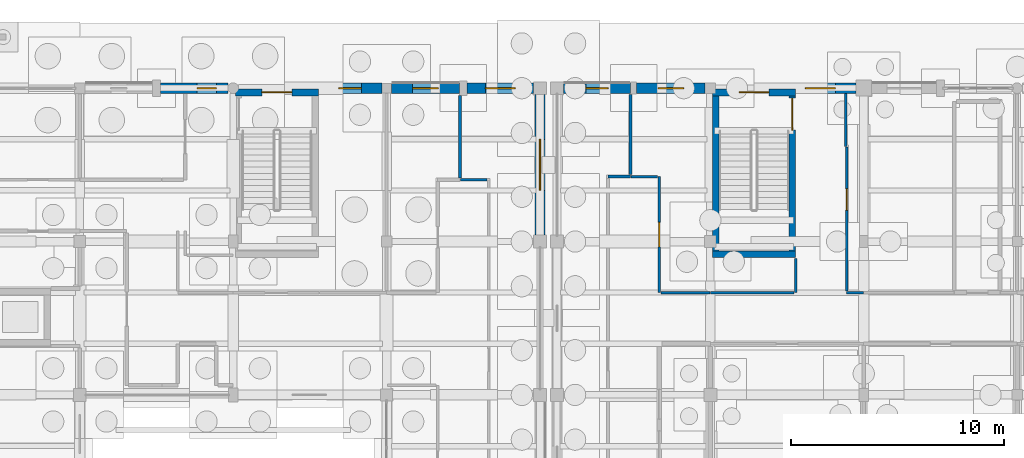
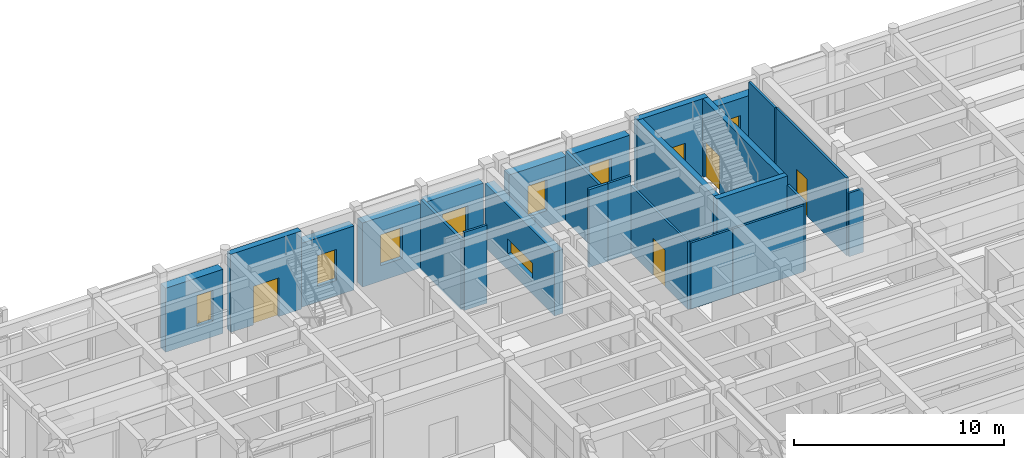
# One storey, part 116 of 143: 25 walls, 8 windows, 5 doors, 13 openings.
"""IFC4 building model written with IfcOpenShell, lengths in metres."""

from ifc_helpers import new_model, si_unit, direction, frame, frame_2d, origin, place, context, subcontext, project, spatial, rectangle, extrude, material, layer, layer_set, type_object, element, fill, save


model = new_model("IFC4")

# Units and contexts
model_context = context("Model", 3, precision=1e-05, world=origin(), true_north=direction((0.0, 1.0)))
body_context = subcontext(model_context, "Body", "Model", "MODEL_VIEW")
ifc_project = project(units=[si_unit("LENGTHUNIT", "METRE"), si_unit("AREAUNIT", "SQUARE_METRE"), si_unit("VOLUMEUNIT", "CUBIC_METRE"), si_unit("PLANEANGLEUNIT", "RADIAN"), si_unit("MASSUNIT", "GRAM", prefix="KILO")], contexts=[model_context])

# Site, building, storey
site_placement = place(None, origin())
site = spatial("IfcSite", under=ifc_project, at=site_placement, CompositionType="ELEMENT")
building_placement = place(site_placement, origin())
building = spatial("IfcBuilding", under=site, at=building_placement, Name="Steenspoor Specialist Clinic", CompositionType="ELEMENT")
storey_placement = place(building_placement, origin())
storey = spatial("IfcBuildingStorey", under=building, at=storey_placement, Name="L00", CompositionType="ELEMENT", Elevation=0.0)

# Wall, opening, window
ifc_material_1 = material(Name="Volcanic basalt ashlar masonry", Category="masonry")
ifc_layer_1 = layer(ifc_material_1, 0.47998046875)
ifc_layer_set_1 = layer_set([ifc_layer_1], Name="Volcanic basalt ashlar masonry")
wall_type_1 = type_object("IfcWallType", Name="W-BASALT-480", PredefinedType="SOLIDWALL", material=ifc_layer_set_1)
wall_1_placement = place(storey_placement, frame((99.389892578125, 108.35009765625, 0.0), z_axis=(0.0, 0.0, 1.0), x_axis=(1.0, 0.0, 0.0)))
wall_1 = element("IfcWall", 1, at=wall_1_placement, inside=storey, type_object=wall_type_1, Name="Exterior Brick Wall EW-V4-L00-0094", PredefinedType="SOLIDWALL", context=body_context, shape_type="SweptSolid", body=[
    extrude(rectangle(XDim=3.16015625, YDim=0.47998046875, at=frame_2d((1.580078125, 0.0))), origin(), (0.0, 0.0, 1.0), 3.72998046875),
])
opening_1_placement = place(wall_1_placement, frame((1.719970703125, 0.0, 0.89990234375)))
opening_1 = element("IfcOpeningElement", 2, at=opening_1_placement, cuts=wall_1, Name="Opening WN-03", PredefinedType="OPENING", context=body_context, shape_type="SweptSolid", body=[
    extrude(rectangle(XDim=0.89990234375, YDim=1.800048828125, at=frame_2d((0.449951171875, 0.89990234375))), frame((0.0, 0.25, 0.0), z_axis=(0.0, -1.0, 0.0), x_axis=(1.0, 0.0, 0.0)), (0.0, 0.0, 1.0), 0.5),
])
ifc_material_2 = material(Name="Thermally broken aluminium and low-emissivity glass", Category="aluminium")
window_type_1 = type_object("IfcWindowType", Name="WN-EXT-090X180", PartitioningType="SINGLE_PANEL", PredefinedType="WINDOW", material=ifc_material_2)
window_1_placement = place(opening_1_placement, origin())
window_1 = element("IfcWindow", 3, at=window_1_placement, inside=storey, type_object=window_type_1, Name="Window 0115", OverallHeight=1.800048828125, OverallWidth=0.89990234375, PartitioningType="SINGLE_PANEL", PredefinedType="WINDOW", context=body_context, shape_type="SweptSolid", body=[
    extrude(rectangle(XDim=0.89990234375, YDim=1.800048828125, at=frame_2d((0.449951171875, 0.89990234375))), frame((0.0, 0.030029296875, 0.0), z_axis=(0.0, -1.0, 0.0), x_axis=(1.0, 0.0, 0.0)), (0.0, 0.0, 1.0), 0.06005859375),
])
fill(opening_1, window_1)

wall_2_placement = place(storey_placement, frame((106.800048828125, 108.35009765625, 0.0), z_axis=(0.0, 0.0, 1.0), x_axis=(1.0, 0.0, 0.0)))
wall_2 = element("IfcWall", 4, at=wall_2_placement, inside=storey, type_object=wall_type_1, Name="Exterior Brick Wall EW-V4-L00-0095", PredefinedType="SOLIDWALL", context=body_context, shape_type="SweptSolid", body=[
    extrude(rectangle(XDim=2.974853515625, YDim=0.47998046875, at=frame_2d((1.4873046875, 0.0))), origin(), (0.0, 0.0, 1.0), 3.72998046875),
])
opening_2_placement = place(wall_2_placement, frame((0.96240234375, 0.0, 0.89990234375)))
opening_2 = element("IfcOpeningElement", 5, at=opening_2_placement, cuts=wall_2, Name="Opening WN-04", PredefinedType="OPENING", context=body_context, shape_type="SweptSolid", body=[
    extrude(rectangle(XDim=1.050048828125, YDim=1.800048828125, at=frame_2d((0.52490234375, 0.89990234375))), frame((0.0, 0.25, 0.0), z_axis=(0.0, -1.0, 0.0), x_axis=(1.0, 0.0, 0.0)), (0.0, 0.0, 1.0), 0.5),
])
window_type_2 = type_object("IfcWindowType", Name="WN-EXT-105X180", PartitioningType="SINGLE_PANEL", PredefinedType="WINDOW", material=ifc_material_2)
window_2_placement = place(opening_2_placement, origin())
window_2 = element("IfcWindow", 6, at=window_2_placement, inside=storey, type_object=window_type_2, Name="Window 0116", OverallHeight=1.800048828125, OverallWidth=1.050048828125, PartitioningType="SINGLE_PANEL", PredefinedType="WINDOW", context=body_context, shape_type="SweptSolid", body=[
    extrude(rectangle(XDim=1.050048828125, YDim=1.800048828125, at=frame_2d((0.52490234375, 0.89990234375))), frame((0.0, 0.030029296875, 0.0), z_axis=(0.0, -1.0, 0.0), x_axis=(1.0, 0.0, 0.0)), (0.0, 0.0, 1.0), 0.06005859375),
])
fill(opening_2, window_2)

wall_3_placement = place(storey_placement, frame((110.22509765625, 108.35009765625, 0.0), z_axis=(0.0, 0.0, 1.0), x_axis=(1.0, 0.0, 0.0)))
wall_3 = element("IfcWall", 7, at=wall_3_placement, inside=storey, type_object=wall_type_1, Name="Exterior Brick Wall EW-V4-L00-0096", PredefinedType="SOLIDWALL", context=body_context, shape_type="SweptSolid", body=[
    extrude(rectangle(XDim=3.204833984375, YDim=0.47998046875, at=frame_2d((1.6025390625, 0.0))), origin(), (0.0, 0.0, 1.0), 3.72998046875),
])
opening_3_placement = place(wall_3_placement, frame((1.00244140625, 0.0, 0.89990234375)))
opening_3 = element("IfcOpeningElement", 8, at=opening_3_placement, cuts=wall_3, Name="Opening WN-05", PredefinedType="OPENING", context=body_context, shape_type="SweptSolid", body=[
    extrude(rectangle(XDim=1.199951171875, YDim=1.800048828125, at=frame_2d((0.60009765625, 0.89990234375))), frame((0.0, 0.25, 0.0), z_axis=(0.0, -1.0, 0.0), x_axis=(1.0, 0.0, 0.0)), (0.0, 0.0, 1.0), 0.5),
])
window_type_3 = type_object("IfcWindowType", Name="WN-EXT-120X180", PartitioningType="SINGLE_PANEL", PredefinedType="WINDOW", material=ifc_material_2)
window_3_placement = place(opening_3_placement, origin())
window_3 = element("IfcWindow", 9, at=window_3_placement, inside=storey, type_object=window_type_3, Name="Window 0117", OverallHeight=1.800048828125, OverallWidth=1.199951171875, PartitioningType="SINGLE_PANEL", PredefinedType="WINDOW", context=body_context, shape_type="SweptSolid", body=[
    extrude(rectangle(XDim=1.199951171875, YDim=1.800048828125, at=frame_2d((0.60009765625, 0.89990234375))), frame((0.0, 0.030029296875, 0.0), z_axis=(0.0, -1.0, 0.0), x_axis=(1.0, 0.0, 0.0)), (0.0, 0.0, 1.0), 0.06005859375),
])
fill(opening_3, window_3)

wall_4_placement = place(storey_placement, frame((113.77001953125, 108.35009765625, 0.0), z_axis=(0.0, 0.0, 1.0), x_axis=(1.0, 0.0, 0.0)))
wall_4 = element("IfcWall", 10, at=wall_4_placement, inside=storey, type_object=wall_type_1, Name="Exterior Brick Wall EW-V4-L00-0097", PredefinedType="SOLIDWALL", context=body_context, shape_type="SweptSolid", body=[
    extrude(rectangle(XDim=3.1298828125, YDim=0.47998046875, at=frame_2d((1.56494140625, 0.0))), origin(), (0.0, 0.0, 1.0), 3.72998046875),
])
opening_4_placement = place(wall_4_placement, frame((0.864990234375, 0.0, 0.89990234375)))
opening_4 = element("IfcOpeningElement", 11, at=opening_4_placement, cuts=wall_4, Name="Opening WN-06", PredefinedType="OPENING", context=body_context, shape_type="SweptSolid", body=[
    extrude(rectangle(XDim=1.39990234375, YDim=1.800048828125, at=frame_2d((0.699951171875, 0.89990234375))), frame((0.0, 0.25, 0.0), z_axis=(0.0, -1.0, 0.0), x_axis=(1.0, 0.0, 0.0)), (0.0, 0.0, 1.0), 0.5),
])
window_type_4 = type_object("IfcWindowType", Name="WN-EXT-140X180", PartitioningType="SINGLE_PANEL", PredefinedType="WINDOW", material=ifc_material_2)
window_4_placement = place(opening_4_placement, origin())
window_4 = element("IfcWindow", 12, at=window_4_placement, inside=storey, type_object=window_type_4, Name="Window 0118", OverallHeight=1.800048828125, OverallWidth=1.39990234375, PartitioningType="SINGLE_PANEL", PredefinedType="WINDOW", context=body_context, shape_type="SweptSolid", body=[
    extrude(rectangle(XDim=1.39990234375, YDim=1.800048828125, at=frame_2d((0.699951171875, 0.89990234375))), frame((0.0, 0.030029296875, 0.0), z_axis=(0.0, -1.0, 0.0), x_axis=(1.0, 0.0, 0.0)), (0.0, 0.0, 1.0), 0.06005859375),
])
fill(opening_4, window_4)

wall_5_placement = place(storey_placement, frame((117.199951171875, 108.050048828125, 0.0), z_axis=(0.0, 0.0, 1.0), x_axis=(0.0, -1.0, 0.0)))
wall_5 = element("IfcWall", 13, at=wall_5_placement, inside=storey, type_object=wall_type_1, Name="Exterior Brick Wall EW-V4-L00-0098", PredefinedType="SOLIDWALL", context=body_context, shape_type="SweptSolid", body=[
    extrude(rectangle(XDim=6.60009765625, YDim=0.47998046875, at=frame_2d((3.300048828125, 0.0))), origin(), (0.0, 0.0, 1.0), 3.72998046875),
])
opening_5_placement = place(wall_5_placement, frame((2.10009765625, 0.0, 0.89990234375)))
opening_5 = element("IfcOpeningElement", 14, at=opening_5_placement, cuts=wall_5, Name="Opening WN-23", PredefinedType="OPENING", context=body_context, shape_type="SweptSolid", body=[
    extrude(rectangle(XDim=2.39990234375, YDim=0.89990234375, at=frame_2d((1.199951171875, 0.449951171875))), frame((0.0, 0.25, 0.0), z_axis=(0.0, -1.0, 0.0), x_axis=(1.0, 0.0, 0.0)), (0.0, 0.0, 1.0), 0.5),
])
window_type_5 = type_object("IfcWindowType", Name="WN-EXT-240X090", PartitioningType="SINGLE_PANEL", PredefinedType="WINDOW", material=ifc_material_2)
window_5_placement = place(opening_5_placement, origin())
window_5 = element("IfcWindow", 15, at=window_5_placement, inside=storey, type_object=window_type_5, Name="Window 0119", OverallHeight=0.89990234375, OverallWidth=2.39990234375, PartitioningType="SINGLE_PANEL", PredefinedType="WINDOW", context=body_context, shape_type="SweptSolid", body=[
    extrude(rectangle(XDim=2.39990234375, YDim=0.89990234375, at=frame_2d((1.199951171875, 0.449951171875))), frame((0.0, 0.030029296875, 0.0), z_axis=(0.0, -1.0, 0.0), x_axis=(1.0, 0.0, 0.0)), (0.0, 0.0, 1.0), 0.06005859375),
])
fill(opening_5, window_5)

wall_6_placement = place(storey_placement, frame((118.300048828125, 108.35009765625, 0.0), z_axis=(0.0, 0.0, 1.0), x_axis=(1.0, 0.0, 0.0)))
wall_6 = element("IfcWall", 16, at=wall_6_placement, inside=storey, type_object=wall_type_1, Name="Exterior Brick Wall EW-V6-L00-0303", PredefinedType="SOLIDWALL", context=body_context, shape_type="SweptSolid", body=[
    extrude(rectangle(XDim=3.159912109375, YDim=0.47998046875, at=frame_2d((1.580078125, 0.0))), origin(), (0.0, 0.0, 1.0), 3.699951171875),
])
opening_6_placement = place(wall_6_placement, frame((1.054931640625, 0.0, 0.89990234375)))
opening_6 = element("IfcOpeningElement", 17, at=opening_6_placement, cuts=wall_6, Name="Opening WN-04", PredefinedType="OPENING", context=body_context, shape_type="SweptSolid", body=[
    extrude(rectangle(XDim=1.050048828125, YDim=1.800048828125, at=frame_2d((0.52490234375, 0.89990234375))), frame((0.0, 0.25, 0.0), z_axis=(0.0, -1.0, 0.0), x_axis=(1.0, 0.0, 0.0)), (0.0, 0.0, 1.0), 0.5),
])
window_6_placement = place(opening_6_placement, origin())
window_6 = element("IfcWindow", 18, at=window_6_placement, inside=storey, type_object=window_type_2, Name="Window 0324", OverallHeight=1.800048828125, OverallWidth=1.050048828125, PartitioningType="SINGLE_PANEL", PredefinedType="WINDOW", context=body_context, shape_type="SweptSolid", body=[
    extrude(rectangle(XDim=1.050048828125, YDim=1.800048828125, at=frame_2d((0.52490234375, 0.89990234375))), frame((0.0, 0.030029296875, 0.0), z_axis=(0.0, -1.0, 0.0), x_axis=(1.0, 0.0, 0.0)), (0.0, 0.0, 1.0), 0.06005859375),
])
fill(opening_6, window_6)

wall_7_placement = place(storey_placement, frame((121.739990234375, 108.35009765625, 0.0), z_axis=(0.0, 0.0, 1.0), x_axis=(1.0, 0.0, 0.0)))
wall_7 = element("IfcWall", 19, at=wall_7_placement, inside=storey, type_object=wall_type_1, Name="Exterior Brick Wall EW-V6-L00-0304", PredefinedType="SOLIDWALL", context=body_context, shape_type="SweptSolid", body=[
    extrude(rectangle(XDim=3.2099609375, YDim=0.47998046875, at=frame_2d((1.60498046875, 0.0))), origin(), (0.0, 0.0, 1.0), 3.699951171875),
])
opening_7_placement = place(wall_7_placement, frame((1.0048828125, 0.0, 0.89990234375)))
opening_7 = element("IfcOpeningElement", 20, at=opening_7_placement, cuts=wall_7, Name="Opening WN-05", PredefinedType="OPENING", context=body_context, shape_type="SweptSolid", body=[
    extrude(rectangle(XDim=1.199951171875, YDim=1.800048828125, at=frame_2d((0.60009765625, 0.89990234375))), frame((0.0, 0.25, 0.0), z_axis=(0.0, -1.0, 0.0), x_axis=(1.0, 0.0, 0.0)), (0.0, 0.0, 1.0), 0.5),
])
window_7_placement = place(opening_7_placement, origin())
window_7 = element("IfcWindow", 21, at=window_7_placement, inside=storey, type_object=window_type_3, Name="Window 0325", OverallHeight=1.800048828125, OverallWidth=1.199951171875, PartitioningType="SINGLE_PANEL", PredefinedType="WINDOW", context=body_context, shape_type="SweptSolid", body=[
    extrude(rectangle(XDim=1.199951171875, YDim=1.800048828125, at=frame_2d((0.60009765625, 0.89990234375))), frame((0.0, 0.030029296875, 0.0), z_axis=(0.0, -1.0, 0.0), x_axis=(1.0, 0.0, 0.0)), (0.0, 0.0, 1.0), 0.06005859375),
])
fill(opening_7, window_7)

wall_8_placement = place(storey_placement, frame((129.199951171875, 108.35009765625, 0.0), z_axis=(0.0, 0.0, 1.0), x_axis=(1.0, 0.0, 0.0)))
wall_8 = element("IfcWall", 22, at=wall_8_placement, inside=storey, type_object=wall_type_1, Name="Exterior Brick Wall EW-V6-L00-0305", PredefinedType="SOLIDWALL", context=body_context, shape_type="SweptSolid", body=[
    extrude(rectangle(XDim=2.824951171875, YDim=0.47998046875, at=frame_2d((1.41259765625, 0.0))), origin(), (0.0, 0.0, 1.0), 3.699951171875),
])
opening_8_placement = place(wall_8_placement, frame((0.465087890625, 0.0, 0.89990234375)))
opening_8 = element("IfcOpeningElement", 23, at=opening_8_placement, cuts=wall_8, Name="Opening WN-06", PredefinedType="OPENING", context=body_context, shape_type="SweptSolid", body=[
    extrude(rectangle(XDim=1.39990234375, YDim=1.800048828125, at=frame_2d((0.699951171875, 0.89990234375))), frame((0.0, 0.25, 0.0), z_axis=(0.0, -1.0, 0.0), x_axis=(1.0, 0.0, 0.0)), (0.0, 0.0, 1.0), 0.5),
])
window_8_placement = place(opening_8_placement, origin())
window_8 = element("IfcWindow", 24, at=window_8_placement, inside=storey, type_object=window_type_4, Name="Window 0326", OverallHeight=1.800048828125, OverallWidth=1.39990234375, PartitioningType="SINGLE_PANEL", PredefinedType="WINDOW", context=body_context, shape_type="SweptSolid", body=[
    extrude(rectangle(XDim=1.39990234375, YDim=1.800048828125, at=frame_2d((0.699951171875, 0.89990234375))), frame((0.0, 0.030029296875, 0.0), z_axis=(0.0, -1.0, 0.0), x_axis=(1.0, 0.0, 0.0)), (0.0, 0.0, 1.0), 0.06005859375),
])
fill(opening_8, window_8)

# Walls
ifc_material_3 = material(Name="Gypsum acoustic clinical partition", Category="gypsum")
ifc_layer_2 = layer(ifc_material_3, 0.14990234375)
ifc_layer_set_2 = layer_set([ifc_layer_2], Name="Gypsum acoustic clinical partition")
wall_type_2 = type_object("IfcWallType", Name="W-CLIN-150", PredefinedType="PARTITIONING", material=ifc_layer_set_2)
wall_9_placement = place(storey_placement, frame((120.39990234375, 104.199951171875, 0.0), z_axis=(0.0, 0.0, 1.0), x_axis=(1.0, 0.0, 0.0)))
element("IfcWall", 25, at=wall_9_placement, inside=storey, type_object=wall_type_2, Name="Interior Partition IW-V6-L00-0285", PredefinedType="PARTITIONING", context=body_context, shape_type="SweptSolid", body=[
    extrude(rectangle(XDim=1.050048828125, YDim=0.14990234375, at=frame_2d((0.52490234375, 0.0))), origin(), (0.0, 0.0, 1.0), 4.52001953125),
])
wall_10_placement = place(storey_placement, frame((113.449951171875, 104.139892578125, 0.0), z_axis=(0.0, 0.0, 1.0), x_axis=(0.0, 1.0, 0.0)))
element("IfcWall", 26, at=wall_10_placement, inside=storey, type_object=wall_type_2, Name="Interior Partition IW-V4-L00-0626", PredefinedType="PARTITIONING", context=body_context, shape_type="SweptSolid", body=[
    extrude(rectangle(XDim=3.855224609375, YDim=0.14990234375, at=frame_2d((1.927734375, 0.0))), origin(), (0.0, 0.0, 1.0), 4.074951171875),
])
wall_11_placement = place(storey_placement, frame((121.449951171875, 104.2900390625, 0.0), z_axis=(0.0, 0.0, 1.0), x_axis=(0.0, 1.0, 0.0)))
element("IfcWall", 27, at=wall_11_placement, inside=storey, type_object=wall_type_2, Name="Interior Partition IW-V6-L00-0650", PredefinedType="PARTITIONING", context=body_context, shape_type="SweptSolid", body=[
    extrude(rectangle(XDim=3.764892578125, YDim=0.14990234375, at=frame_2d((1.88232421875, 0.0))), origin(), (0.0, 0.0, 1.0), 4.044921875),
])

# Wall, opening, door
ifc_material_4 = material(Name="Concrete C40/50", Category="concrete")
ifc_layer_3 = layer(ifc_material_4, 0.330078125)
ifc_layer_set_3 = layer_set([ifc_layer_3], Name="Concrete C40/50")
wall_type_3 = type_object("IfcWallType", Name="W-ESW-330", PredefinedType="SHEAR", material=ifc_layer_set_3)
wall_12_placement = place(storey_placement, frame((102.89990234375, 108.14990234375, 0.0), z_axis=(0.0, 0.0, 1.0), x_axis=(1.0, 0.0, 0.0)))
wall_12 = element("IfcWall", 28, at=wall_12_placement, inside=storey, type_object=wall_type_3, Name="Core Shear Wall SW-ST-V4B-L00-N", PredefinedType="SHEAR", context=body_context, shape_type="SweptSolid", body=[
    extrude(rectangle(XDim=3.900146484375, YDim=0.330078125, at=frame_2d((1.9501953125, 0.0))), origin(), (0.0, 0.0, 1.0), 4.550048828125),
])
opening_9_placement = place(wall_12_placement, frame((1.25, 0.0, 0.0)))
opening_9 = element("IfcOpeningElement", 29, at=opening_9_placement, cuts=wall_12, Name="Opening ED06", PredefinedType="OPENING", context=body_context, shape_type="SweptSolid", body=[
    extrude(rectangle(XDim=1.39990234375, YDim=2.25, at=frame_2d((0.699951171875, 1.125))), frame((0.0, 0.175048828125, 0.0), z_axis=(0.0, -1.0, 0.0), x_axis=(1.0, 0.0, 0.0)), (0.0, 0.0, 1.0), 0.35009765625),
])
ifc_material_5 = material(Name="Painted galvanised steel door", Category="steel")
door_type_1 = type_object("IfcDoorType", Name="DT-EXIT-140X225", OperationType="NOTDEFINED", PredefinedType="DOOR", material=ifc_material_5)
door_1_placement = place(opening_9_placement, origin())
door_1 = element("IfcDoor", 30, at=door_1_placement, inside=storey, type_object=door_type_1, Name="Exit Stair Discharge Door ED06", OperationType="SINGLE_SWING_RIGHT", OverallHeight=2.25, OverallWidth=1.39990234375, PredefinedType="DOOR", context=body_context, shape_type="SweptSolid", body=[
    extrude(rectangle(XDim=1.39990234375, YDim=2.25, at=frame_2d((0.699951171875, 1.125))), frame((0.0, 0.02490234375, 0.0), z_axis=(0.0, -1.0, 0.0), x_axis=(1.0, 0.0, 0.0)), (0.0, 0.0, 1.0), 0.050048828125),
])
fill(opening_9, door_1)

wall_13_placement = place(storey_placement, frame((125.300048828125, 108.14990234375, 0.0), z_axis=(0.0, 0.0, 1.0), x_axis=(1.0, 0.0, 0.0)))
wall_13 = element("IfcWall", 31, at=wall_13_placement, inside=storey, type_object=wall_type_3, Name="Core Shear Wall SW-ST-V6A-L00-N", PredefinedType="SHEAR", context=body_context, shape_type="SweptSolid", body=[
    extrude(rectangle(XDim=3.89990234375, YDim=0.330078125, at=frame_2d((1.949951171875, 0.0))), origin(), (0.0, 0.0, 1.0), 4.52001953125),
])
opening_10_placement = place(wall_13_placement, frame((1.25, 0.0, 0.0)))
opening_10 = element("IfcOpeningElement", 32, at=opening_10_placement, cuts=wall_13, Name="Opening ED10", PredefinedType="OPENING", context=body_context, shape_type="SweptSolid", body=[
    extrude(rectangle(XDim=1.39990234375, YDim=2.25, at=frame_2d((0.699951171875, 1.125))), frame((0.0, 0.175048828125, 0.0), z_axis=(0.0, -1.0, 0.0), x_axis=(1.0, 0.0, 0.0)), (0.0, 0.0, 1.0), 0.35009765625),
])
door_2_placement = place(opening_10_placement, origin())
door_2 = element("IfcDoor", 33, at=door_2_placement, inside=storey, type_object=door_type_1, Name="Exit Stair Discharge Door ED10", OperationType="SINGLE_SWING_RIGHT", OverallHeight=2.25, OverallWidth=1.39990234375, PredefinedType="DOOR", context=body_context, shape_type="SweptSolid", body=[
    extrude(rectangle(XDim=1.39990234375, YDim=2.25, at=frame_2d((0.699951171875, 1.125))), frame((0.0, 0.02490234375, 0.0), z_axis=(0.0, -1.0, 0.0), x_axis=(1.0, 0.0, 0.0)), (0.0, 0.0, 1.0), 0.050048828125),
])
fill(opening_10, door_2)

# Wall
ifc_material_6 = material(Name="Gypsum studio partition board", Category="gypsum")
ifc_layer_4 = layer(ifc_material_6, 0.1201171875)
ifc_layer_set_4 = layer_set([ifc_layer_4], Name="Gypsum studio partition board")
wall_type_4 = type_object("IfcWallType", Name="W-PART-120", PredefinedType="PARTITIONING", material=ifc_layer_set_4)
wall_14_placement = place(storey_placement, frame((113.465087890625, 104.050048828125, 0.0), z_axis=(0.0, 0.0, 1.0), x_axis=(1.0, 0.0, 0.0)))
element("IfcWall", 34, at=wall_14_placement, inside=storey, type_object=wall_type_4, Name="Interior Partition IW-V4-L00-0344", PredefinedType="PARTITIONING", context=body_context, shape_type="SweptSolid", body=[
    extrude(rectangle(XDim=1.260009765625, YDim=0.1201171875, at=frame_2d((0.6298828125, 0.0))), origin(), (0.0, 0.0, 1.0), 4.550048828125),
])

# Wall, opening, door
wall_15_placement = place(storey_placement, frame((122.800048828125, 98.75, 0.0), z_axis=(0.0, 0.0, 1.0), x_axis=(0.0, 1.0, 0.0)))
wall_15 = element("IfcWall", 35, at=wall_15_placement, inside=storey, type_object=wall_type_4, Name="Interior Partition IW-V6-L00-0391", PredefinedType="PARTITIONING", context=body_context, shape_type="SweptSolid", body=[
    extrude(rectangle(XDim=5.449951171875, YDim=0.1201171875, at=frame_2d((2.72509765625, 0.0))), origin(), (0.0, 0.0, 1.0), 3.925048828125),
])
opening_11_placement = place(wall_15_placement, frame((2.14990234375, 0.0, 0.0)))
opening_11 = element("IfcOpeningElement", 36, at=opening_11_placement, cuts=wall_15, Name="Opening D0423", PredefinedType="OPENING", context=body_context, shape_type="SweptSolid", body=[
    extrude(rectangle(XDim=1.14990234375, YDim=2.14990234375, at=frame_2d((0.574951171875, 1.074951171875))), frame((0.0, 0.070068359375, 0.0), z_axis=(0.0, -1.0, 0.0), x_axis=(1.0, 0.0, 0.0)), (0.0, 0.0, 1.0), 0.14013671875),
])
ifc_material_7 = material(Name="Solid-core hardwood clinical door", Category="wood")
door_type_2 = type_object("IfcDoorType", Name="DT-CONS-115X215", OperationType="NOTDEFINED", PredefinedType="DOOR", material=ifc_material_7)
door_3_placement = place(opening_11_placement, origin())
door_3 = element("IfcDoor", 37, at=door_3_placement, inside=storey, type_object=door_type_2, Name="Clinical Door D0423", OperationType="SINGLE_SWING_RIGHT", OverallHeight=2.14990234375, OverallWidth=1.14990234375, PredefinedType="DOOR", context=body_context, shape_type="SweptSolid", body=[
    extrude(rectangle(XDim=1.14990234375, YDim=2.14990234375, at=frame_2d((0.574951171875, 1.074951171875))), frame((0.0, 0.02490234375, 0.0), z_axis=(0.0, -1.0, 0.0), x_axis=(1.0, 0.0, 0.0)), (0.0, 0.0, 1.0), 0.050048828125),
])
fill(opening_11, door_3)

# Walls
wall_16_placement = place(storey_placement, frame((121.465087890625, 104.199951171875, 0.0), z_axis=(0.0, 0.0, 1.0), x_axis=(1.0, 0.0, 0.0)))
element("IfcWall", 38, at=wall_16_placement, inside=storey, type_object=wall_type_4, Name="Interior Partition IW-V6-L00-0392", PredefinedType="PARTITIONING", context=body_context, shape_type="SweptSolid", body=[
    extrude(rectangle(XDim=1.260009765625, YDim=0.1201171875, at=frame_2d((0.6298828125, 0.0))), origin(), (0.0, 0.0, 1.0), 4.52001953125),
])
wall_17_placement = place(storey_placement, frame((129.199951171875, 98.75, 0.0), z_axis=(0.0, 0.0, 1.0), x_axis=(0.0, 1.0, 0.0)))
element("IfcWall", 39, at=wall_17_placement, inside=storey, type_object=wall_type_4, Name="Interior Partition IW-V6-L00-0393", PredefinedType="PARTITIONING", context=body_context, shape_type="SweptSolid", body=[
    extrude(rectangle(XDim=1.60009765625, YDim=0.1201171875, at=frame_2d((0.800048828125, 0.0))), origin(), (0.0, 0.0, 1.0), 4.044921875),
])
wall_18_placement = place(storey_placement, frame((125.199951171875, 98.75, 0.0), z_axis=(0.0, 0.0, 1.0), x_axis=(1.0, 0.0, 0.0)))
element("IfcWall", 40, at=wall_18_placement, inside=storey, type_object=wall_type_4, Name="Interior Partition IW-V6-L00-0394", PredefinedType="PARTITIONING", context=body_context, shape_type="SweptSolid", body=[
    extrude(rectangle(XDim=3.925048828125, YDim=0.1201171875, at=frame_2d((1.96240234375, 0.0))), origin(), (0.0, 0.0, 1.0), 3.85498046875),
])
wall_19_placement = place(storey_placement, frame((122.875, 98.75, 0.0), z_axis=(0.0, 0.0, 1.0), x_axis=(1.0, 0.0, 0.0)))
element("IfcWall", 41, at=wall_19_placement, inside=storey, type_object=wall_type_4, Name="Interior Partition IW-V6-L00-0395", PredefinedType="PARTITIONING", context=body_context, shape_type="SweptSolid", body=[
    extrude(rectangle(XDim=2.31005859375, YDim=0.1201171875, at=frame_2d((1.155029296875, 0.0))), origin(), (0.0, 0.0, 1.0), 3.85498046875),
])
wall_20_placement = place(storey_placement, frame((131.550048828125, 105.60009765625, 0.0), z_axis=(0.0, 0.0, 1.0), x_axis=(0.0, 1.0, 0.0)))
element("IfcWall", 42, at=wall_20_placement, inside=storey, type_object=wall_type_4, Name="Interior Partition IW-V6-L00-0396", PredefinedType="PARTITIONING", context=body_context, shape_type="SweptSolid", body=[
    extrude(rectangle(XDim=2.494873046875, YDim=0.1201171875, at=frame_2d((1.24755859375, 0.0))), origin(), (0.0, 0.0, 1.0), 4.52001953125),
])
wall_21_placement = place(storey_placement, frame((131.60009765625, 98.75, 0.0), z_axis=(0.0, 0.0, 1.0), x_axis=(1.0, 0.0, 0.0)))
element("IfcWall", 43, at=wall_21_placement, inside=storey, type_object=wall_type_4, Name="Interior Partition IW-V6-L00-0399", PredefinedType="PARTITIONING", context=body_context, shape_type="SweptSolid", body=[
    extrude(rectangle(XDim=0.784912109375, YDim=0.1201171875, at=frame_2d((0.392578125, 0.0))), origin(), (0.0, 0.0, 1.0), 3.705078125),
])

# Wall, opening, door
wall_22_placement = place(storey_placement, frame((131.60009765625, 98.824951171875, 0.0), z_axis=(0.0, 0.0, 1.0), x_axis=(0.0, 1.0, 0.0)))
wall_22 = element("IfcWall", 44, at=wall_22_placement, inside=storey, type_object=wall_type_4, Name="Interior Partition IW-V6-L00-0400", PredefinedType="PARTITIONING", context=body_context, shape_type="SweptSolid", body=[
    extrude(rectangle(XDim=6.760009765625, YDim=0.1201171875, at=frame_2d((3.3798828125, 0.0))), origin(), (0.0, 0.0, 1.0), 4.52001953125),
])
opening_12_placement = place(wall_22_placement, frame((3.801513671875, 0.0, 0.0)))
opening_12 = element("IfcOpeningElement", 45, at=opening_12_placement, cuts=wall_22, Name="Opening D0425", PredefinedType="OPENING", context=body_context, shape_type="SweptSolid", body=[
    extrude(rectangle(XDim=1.0, YDim=2.14990234375, at=frame_2d((0.5, 1.074951171875))), frame((0.0, 0.070068359375, 0.0), z_axis=(0.0, -1.0, 0.0), x_axis=(1.0, 0.0, 0.0)), (0.0, 0.0, 1.0), 0.14013671875),
])
ifc_material_8 = material(Name="Moisture-resistant HPL accessible WC door", Category="wood")
door_type_3 = type_object("IfcDoorType", Name="DT-AWC-100X215", OperationType="NOTDEFINED", PredefinedType="DOOR", material=ifc_material_8)
door_4_placement = place(opening_12_placement, origin())
door_4 = element("IfcDoor", 46, at=door_4_placement, inside=storey, type_object=door_type_3, Name="Clinical Door D0425", OperationType="SINGLE_SWING_RIGHT", OverallHeight=2.14990234375, OverallWidth=1.0, PredefinedType="DOOR", context=body_context, shape_type="SweptSolid", body=[
    extrude(rectangle(XDim=1.0, YDim=2.14990234375, at=frame_2d((0.5, 1.074951171875))), frame((0.0, 0.02490234375, 0.0), z_axis=(0.0, -1.0, 0.0), x_axis=(1.0, 0.0, 0.0)), (0.0, 0.0, 1.0), 0.050048828125),
])
fill(opening_12, door_4)

# Walls
ifc_layer_5 = layer(ifc_material_4, 0.300048828125)
ifc_layer_set_5 = layer_set([ifc_layer_5], Name="Concrete C40/50")
wall_type_5 = type_object("IfcWallType", Name="W-SW-300", PredefinedType="SHEAR", material=ifc_layer_set_5)
wall_23_placement = place(storey_placement, frame((125.300048828125, 100.550048828125, 0.0), z_axis=(0.0, 0.0, 1.0), x_axis=(1.0, 0.0, 0.0)))
element("IfcWall", 47, at=wall_23_placement, inside=storey, type_object=wall_type_5, Name="Core Shear Wall SW-ST-V6A-L00-S", PredefinedType="SHEAR", context=body_context, shape_type="SweptSolid", body=[
    extrude(rectangle(XDim=3.89990234375, YDim=0.300048828125, at=frame_2d((1.949951171875, 0.0))), origin(), (0.0, 0.0, 1.0), 4.52001953125),
])
wall_24_placement = place(storey_placement, frame((125.449951171875, 100.699951171875, 0.0), z_axis=(0.0, 0.0, 1.0), x_axis=(0.0, 1.0, 0.0)))
element("IfcWall", 48, at=wall_24_placement, inside=storey, type_object=wall_type_5, Name="Core Shear Wall SW-ST-V6A-L00-W", PredefinedType="SHEAR", context=body_context, shape_type="SweptSolid", body=[
    extrude(rectangle(XDim=7.300048828125, YDim=0.300048828125, at=frame_2d((3.64990234375, 0.0))), origin(), (0.0, 0.0, 1.0), 4.52001953125),
])

# Wall, opening, door
wall_25_placement = place(storey_placement, frame((129.050048828125, 100.699951171875, 0.0), z_axis=(0.0, 0.0, 1.0), x_axis=(0.0, 1.0, 0.0)))
wall_25 = element("IfcWall", 49, at=wall_25_placement, inside=storey, type_object=wall_type_5, Name="Core Shear Wall SW-ST-V6A-L00-E", PredefinedType="SHEAR", context=body_context, shape_type="SweptSolid", body=[
    extrude(rectangle(XDim=7.300048828125, YDim=0.300048828125, at=frame_2d((3.64990234375, 0.0))), origin(), (0.0, 0.0, 1.0), 4.52001953125),
])
opening_13_placement = place(wall_25_placement, frame((5.679931640625, 0.0, 0.0)))
opening_13 = element("IfcOpeningElement", 50, at=opening_13_placement, cuts=wall_25, Name="Opening SD035", PredefinedType="OPENING", context=body_context, shape_type="SweptSolid", body=[
    extrude(rectangle(XDim=1.5, YDim=2.14990234375, at=frame_2d((0.75, 1.074951171875))), frame((0.0, 0.16015625, 0.0), z_axis=(0.0, -1.0, 0.0), x_axis=(1.0, 0.0, 0.0)), (0.0, 0.0, 1.0), 0.320068359375),
])
ifc_material_9 = material(Name="Fire-rated steel acoustic door", Category="steel")
door_type_4 = type_object("IfcDoorType", Name="DT-STAIR-150X215", OperationType="NOTDEFINED", PredefinedType="DOOR", material=ifc_material_9)
door_5_placement = place(opening_13_placement, origin())
door_5 = element("IfcDoor", 51, at=door_5_placement, inside=storey, type_object=door_type_4, Name="Exit Stair Fire Door SD035", OperationType="SINGLE_SWING_RIGHT", OverallHeight=2.14990234375, OverallWidth=1.5, PredefinedType="DOOR", context=body_context, shape_type="SweptSolid", body=[
    extrude(rectangle(XDim=1.5, YDim=2.14990234375, at=frame_2d((0.75, 1.074951171875))), frame((0.0, 0.02490234375, 0.0), z_axis=(0.0, -1.0, 0.0), x_axis=(1.0, 0.0, 0.0)), (0.0, 0.0, 1.0), 0.050048828125),
])
fill(opening_13, door_5)

save(model, "model.ifc")
